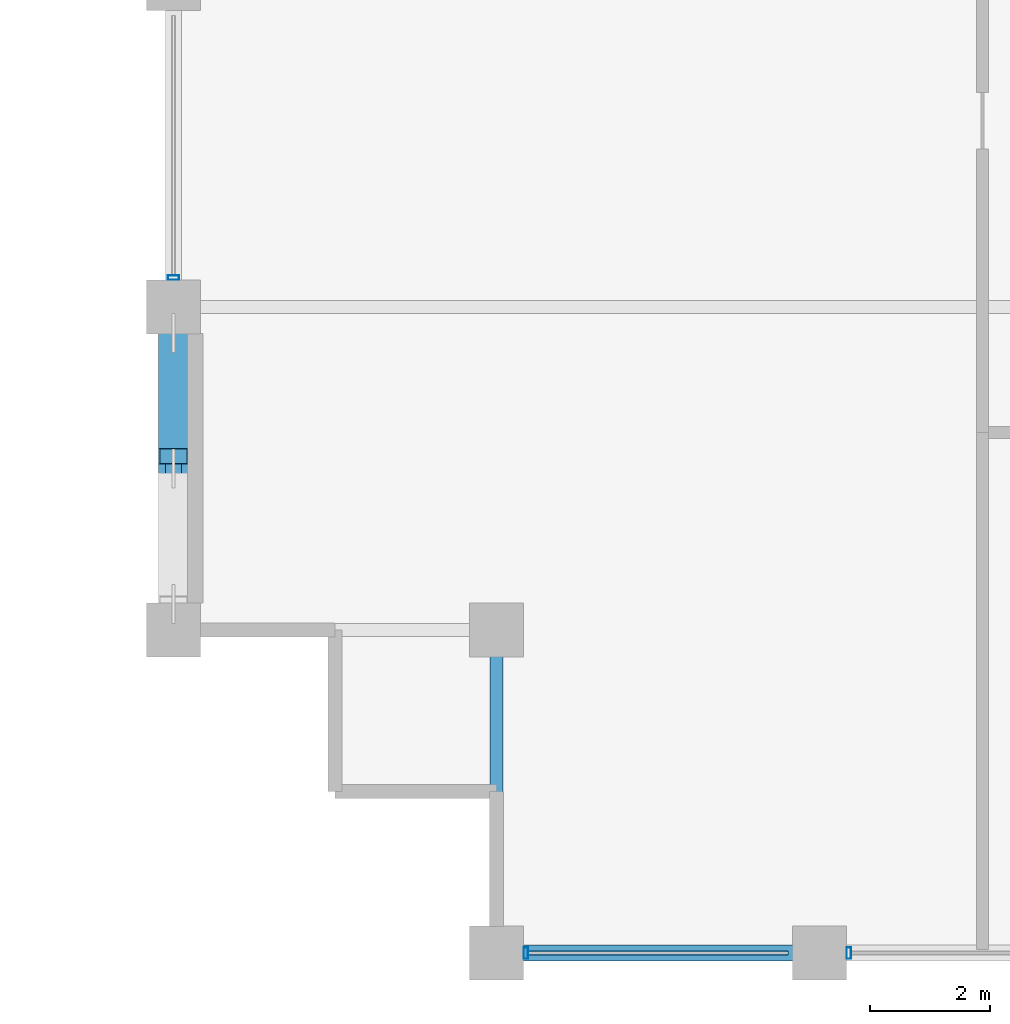
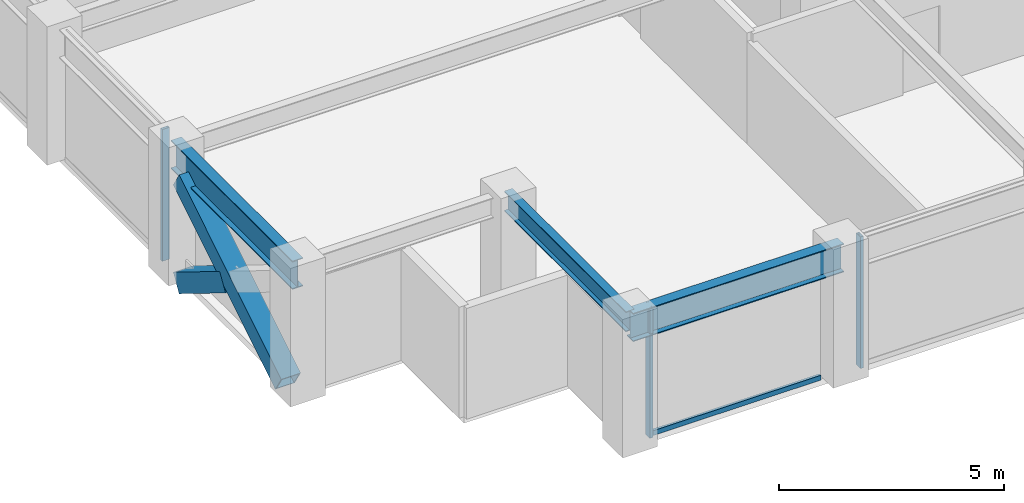
# One storey, part 2 of 28: 6 members, 3 beams, 2 elements without a shape of their own.
"""IFC4 building model written with IfcOpenShell, lengths in metres."""

from ifc_helpers import new_model, si_unit, direction, frame, origin, origin_2d, place, context, subcontext, project, spatial, hollow_rectangle, i_section, extrude, material, layer, layer_set, material_profile, profile_set, type_object, element, aggregate, save


model = new_model("IFC4")

# Units and contexts
model_context = context("Model", 3, precision=1e-05, world=origin(), true_north=direction((0.0, 1.0)))
body_context = subcontext(model_context, "Body", "Model", "MODEL_VIEW")
ifc_project = project(units=[si_unit("LENGTHUNIT", "METRE"), si_unit("AREAUNIT", "SQUARE_METRE"), si_unit("VOLUMEUNIT", "CUBIC_METRE"), si_unit("PLANEANGLEUNIT", "RADIAN"), si_unit("MASSUNIT", "GRAM", prefix="KILO")], contexts=[model_context])

# Site, building, storey
site_placement = place(None, origin())
site = spatial("IfcSite", under=ifc_project, at=site_placement, CompositionType="ELEMENT")
building_placement = place(site_placement, origin())
building = spatial("IfcBuilding", under=site, at=building_placement, Name="Surkhivell Harbour Commons", CompositionType="ELEMENT")
storey_placement = place(building_placement, frame((0.0, 0.0, 182.25)))
storey = spatial("IfcBuildingStorey", under=building, at=storey_placement, Name="L47", CompositionType="ELEMENT", Elevation=182.25)

# Beams
ifc_material_1 = material(Name="Steel S355", Category="steel")
ifc_material_profile_1 = material_profile(ifc_material_1, i_section(OverallWidth=0.2119140625, OverallDepth=0.5439453125, WebThickness=0.0126953125, FlangeThickness=0.021240234375, at=origin_2d()), Name="UB533x210x122")
ifc_profile_set_1 = profile_set([ifc_material_profile_1], Name="Steel S355")
beam_type_1 = type_object("IfcBeamType", Name="BM-GRD-533A", PredefinedType="BEAM", material=ifc_profile_set_1)
beam_1_placement = place(storey_placement, frame((-21.60009765625, -21.60009765625, 3.298095703125), z_axis=(0.0, 1.0, 0.0), x_axis=(-1.0, 0.0, 0.0)))
element("IfcBeam", 1, at=beam_1_placement, inside=storey, type_object=beam_type_1, Name="L47 Floor Girder (-21.6,-21.6)", PredefinedType="BEAM", context=body_context, shape_type="SweptSolid", body=[
    extrude(i_section(OverallWidth=0.2119140625, OverallDepth=0.5439453125, WebThickness=0.0126953125, FlangeThickness=0.021240234375, at=origin_2d()), origin(), (0.0, 0.0, 1.0), 5.400146484375),
])
ifc_material_profile_2 = material_profile(ifc_material_1, i_section(OverallWidth=0.26806640625, OverallDepth=0.77001953125, WebThickness=0.015625, FlangeThickness=0.025390625, at=origin_2d()), Name="UB762x267x197")
ifc_profile_set_2 = profile_set([ifc_material_profile_2], Name="Steel S355")
beam_type_2 = type_object("IfcBeamType", Name="BM-SPN-762", PredefinedType="SPANDREL", material=ifc_profile_set_2)
beam_2_placement = place(storey_placement, frame((-27.0, -16.199951171875, 3.18505859375), z_axis=(0.0, 1.0, 0.0), x_axis=(-1.0, 0.0, 0.0)))
element("IfcBeam", 2, at=beam_2_placement, inside=storey, type_object=beam_type_2, Name="L47 Tube Spandrel (-27.0,-16.2)", PredefinedType="SPANDREL", context=body_context, shape_type="SweptSolid", body=[
    extrude(i_section(OverallWidth=0.26806640625, OverallDepth=0.77001953125, WebThickness=0.015625, FlangeThickness=0.025390625, at=origin_2d()), origin(), (0.0, 0.0, 1.0), 5.39990234375),
])
beam_3_placement = place(storey_placement, frame((-21.60009765625, -21.60009765625, 3.18505859375), z_axis=(1.0, 0.0, 0.0), x_axis=(0.0, 1.0, 0.0)))
element("IfcBeam", 3, at=beam_3_placement, inside=storey, type_object=beam_type_2, Name="L47 Tube Spandrel (-21.6,-21.6)", PredefinedType="SPANDREL", context=body_context, shape_type="SweptSolid", body=[
    extrude(i_section(OverallWidth=0.26806640625, OverallDepth=0.77001953125, WebThickness=0.015625, FlangeThickness=0.025390625, at=origin_2d()), origin(), (0.0, 0.0, 1.0), 5.400146484375),
])

# Curtain wall, members
ifc_material_2 = material(Name="Anodised pale-metal aluminium and insulated glazing", Category="aluminium")
ifc_layer = layer(ifc_material_2, 0.18994140625)
ifc_layer_set = layer_set([ifc_layer], Name="Anodised pale-metal aluminium and insulated glazing")
curtain_wall_type = type_object("IfcCurtainWallType", Name="CW-SYS-Z3", PredefinedType="NOTDEFINED", material=ifc_layer_set)
curtain_wall_1_placement = place(storey_placement, origin())
curtain_wall_1 = element("IfcCurtainWall", 4, at=curtain_wall_1_placement, inside=storey, type_object=curtain_wall_type, Name="L47 Curtain Wall CW-L47-E00S1", PredefinedType="NOTDEFINED")
ifc_material_3 = material(Name="Anodised pale-metal aluminium alloy 6063-T6", Category="aluminium")
ifc_material_profile_3 = material_profile(ifc_material_3, hollow_rectangle(XDim=0.074951171875, YDim=0.18994140625, WallThickness=0.00390625, at=origin_2d()), Name="ALU-MULL-75x190")
ifc_profile_set_3 = profile_set([ifc_material_profile_3], Name="Anodised pale-metal aluminium alloy 6063-T6")
member_type_1 = type_object("IfcMemberType", Name="CWM-190", PredefinedType="MULLION", material=ifc_profile_set_3)
member_1_placement = place(storey_placement, frame((-21.110595703125, -21.60009765625, 0.0), z_axis=(0.0, 0.0, 1.0), x_axis=(1.0, 0.0, 0.0)))
member_1 = element("IfcMember", 5, at=member_1_placement, type_object=member_type_1, Name="CW-Z3 mullion 1", PredefinedType="MULLION", context=body_context, shape_type="SweptSolid", body=[
    extrude(hollow_rectangle(XDim=0.074951171875, YDim=0.18994140625, WallThickness=0.00390625, at=origin_2d()), origin(), (0.0, 0.0, 1.0), 3.570068359375),
])
member_2_placement = place(storey_placement, frame((-15.71044921875, -21.60009765625, 0.0), z_axis=(0.0, 0.0, 1.0), x_axis=(1.0, 0.0, 0.0)))
member_2 = element("IfcMember", 6, at=member_2_placement, type_object=member_type_1, Name="CW-Z3 mullion 2", PredefinedType="MULLION", context=body_context, shape_type="SweptSolid", body=[
    extrude(hollow_rectangle(XDim=0.074951171875, YDim=0.18994140625, WallThickness=0.00390625, at=origin_2d()), origin(), (0.0, 0.0, 1.0), 3.570068359375),
])

# Curtain wall, member
curtain_wall_2_placement = place(storey_placement, origin())
curtain_wall_2 = element("IfcCurtainWall", 7, at=curtain_wall_2_placement, inside=storey, type_object=curtain_wall_type, Name="L47 Curtain Wall CW-L47-E12R1S1", PredefinedType="NOTDEFINED")
member_3_placement = place(storey_placement, frame((-27.0, -10.310546875, 0.0), z_axis=(0.0, 0.0, 1.0), x_axis=(0.0, 1.0, 0.0)))
member_3 = element("IfcMember", 8, at=member_3_placement, type_object=member_type_1, Name="CW-Z3 mullion 1", PredefinedType="MULLION", context=body_context, shape_type="SweptSolid", body=[
    extrude(hollow_rectangle(XDim=0.074951171875, YDim=0.18994140625, WallThickness=0.00390625, at=origin_2d()), origin(), (0.0, 0.0, 1.0), 3.570068359375),
])
aggregate(curtain_wall_2, [member_3])

# Member
ifc_material_4 = material(Name="Champagne anodised aluminium alloy 6063-T6", Category="aluminium")
ifc_material_profile_4 = material_profile(ifc_material_4, hollow_rectangle(XDim=0.070068359375, YDim=0.1298828125, WallThickness=0.00341796875, at=origin_2d()), Name="ALU-TRAN-70x130")
ifc_profile_set_4 = profile_set([ifc_material_profile_4], Name="Champagne anodised aluminium alloy 6063-T6")
member_type_2 = type_object("IfcMemberType", Name="CWT-130", PredefinedType="USERDEFINED", material=ifc_profile_set_4)
member_4_placement = place(storey_placement, frame((-21.072998046875, -21.60009765625, 0.06494140625), z_axis=(1.0, 0.0, 0.0), x_axis=(0.0, 1.0, 0.0)))
member_4 = element("IfcMember", 9, at=member_4_placement, type_object=member_type_2, Name="CW-Z3 transom 1.1", ObjectType="TRANSOM", PredefinedType="USERDEFINED", context=body_context, shape_type="SweptSolid", body=[
    extrude(hollow_rectangle(XDim=0.070068359375, YDim=0.1298828125, WallThickness=0.00341796875, at=origin_2d()), origin(), (0.0, 0.0, 1.0), 4.345947265625),
])

aggregate(curtain_wall_1, [member_1, member_4, member_2])

# Members
ifc_material_5 = material(Name="Steel S460", Category="steel")
ifc_material_profile_5 = material_profile(ifc_material_5, hollow_rectangle(XDim=0.5, YDim=0.5, WallThickness=0.02490234375, at=origin_2d()), Name="SHS500x500x25")
ifc_profile_set_5 = profile_set([ifc_material_profile_5], Name="Steel S460")
member_type_3 = type_object("IfcMemberType", Name="MEM-BRC-SHS500", PredefinedType="BRACE", material=ifc_profile_set_5)
member_5_placement = place(storey_placement, frame((-27.0, -15.764892578125, 0.008056640625), z_axis=(0.0, 0.850958380769, 0.525233123669), x_axis=(-1.0, 0.0, 0.0)))
element("IfcMember", 10, at=member_5_placement, inside=storey, type_object=member_type_3, Name="L47 Perimeter Mega-Brace MB- 10", PredefinedType="BRACE", context=body_context, shape_type="SweptSolid", body=[
    extrude(hollow_rectangle(XDim=0.5, YDim=0.5, WallThickness=0.02490234375, at=origin_2d()), origin(), (0.0, 0.0, 1.0), 5.3232421875),
])
member_6_placement = place(storey_placement, frame((-27.0, -11.235107421875, 0.008056640625), z_axis=(0.0, -0.8510034189, 0.525160147974), x_axis=(1.0, 0.0, 0.0)))
element("IfcMember", 11, at=member_6_placement, inside=storey, type_object=member_type_3, Name="L47 Perimeter Mega-Brace MB- 11", PredefinedType="BRACE", context=body_context, shape_type="SweptSolid", body=[
    extrude(hollow_rectangle(XDim=0.5, YDim=0.5, WallThickness=0.02490234375, at=origin_2d()), origin(), (0.0, 0.0, 1.0), 2.421630859375),
])

save(model, "model.ifc")
